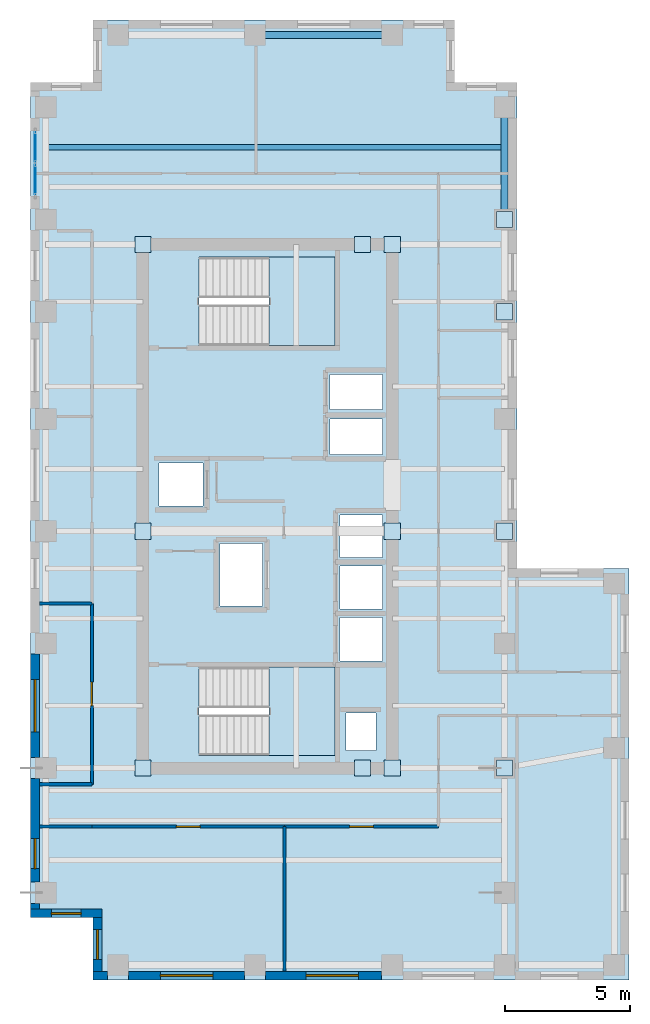
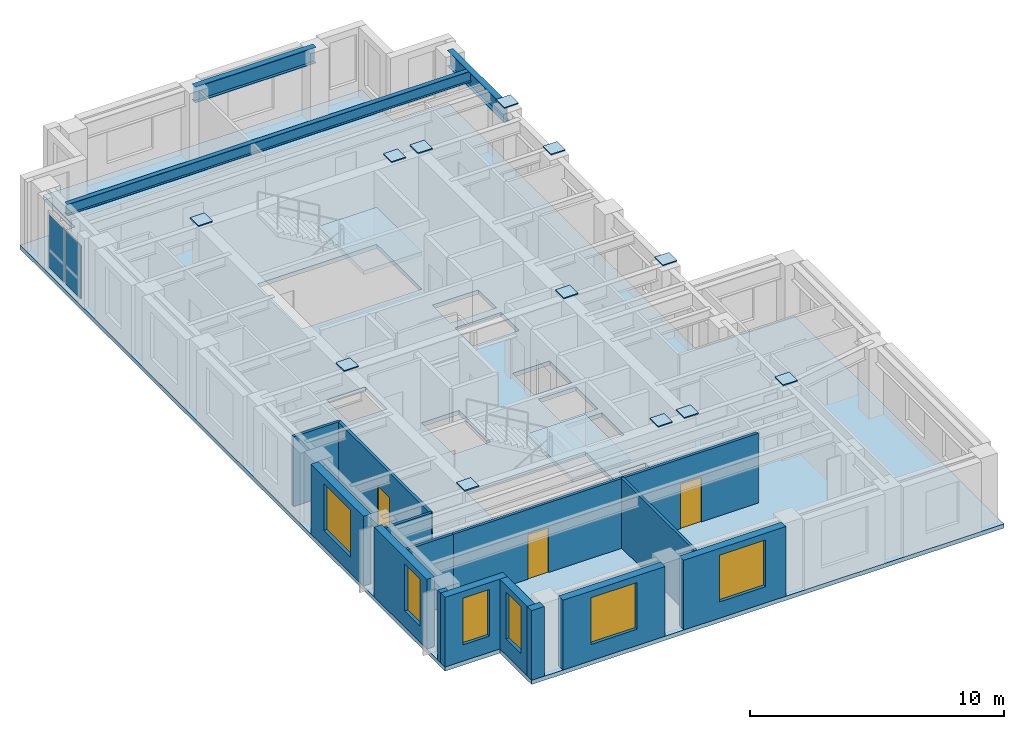
# One storey, part 5 of 10: 15 walls, 14 plates, 6 windows, 3 beams, 3 doors, 3 slabs, 9 openings, 3 elements without a shape of their own.
"""IFC4 building model written with IfcOpenShell, lengths in metres."""

from ifc_helpers import new_model, si_unit, direction, frame, frame_2d, origin, origin_2d, place, context, subcontext, project, spatial, polyline, rectangle, i_section, outline, extrude, source, transform, mapped, material, layer, layer_set, material_profile, profile_set, type_object, element, fill, aggregate, save


model = new_model("IFC4")

# Units and contexts
model_context = context("Model", 3, precision=1e-05, world=origin(), true_north=direction((0.0, 1.0)))
body_context = subcontext(model_context, "Body", "Model", "MODEL_VIEW")
ifc_project = project(units=[si_unit("LENGTHUNIT", "METRE"), si_unit("AREAUNIT", "SQUARE_METRE"), si_unit("VOLUMEUNIT", "CUBIC_METRE"), si_unit("PLANEANGLEUNIT", "RADIAN"), si_unit("MASSUNIT", "GRAM", prefix="KILO")], contexts=[model_context])

# Site, building, storey
site_placement = place(None, origin())
site = spatial("IfcSite", under=ifc_project, at=site_placement, CompositionType="ELEMENT")
building_placement = place(site_placement, origin())
building = spatial("IfcBuilding", under=site, at=building_placement, Name="Kharzan Plaza Tower", CompositionType="ELEMENT")
storey_placement = place(building_placement, frame((0.0, 0.0, 273.60009765625)))
storey = spatial("IfcBuildingStorey", under=building, at=storey_placement, Name="L74", CompositionType="ELEMENT", Elevation=273.60009765625)

# Beams
ifc_material_1 = material(Name="Steel S355", Category="steel")
ifc_material_profile_1 = material_profile(ifc_material_1, i_section(OverallWidth=0.2099609375, OverallDepth=0.537109375, WebThickness=0.010986328125, FlangeThickness=0.017333984375, at=origin_2d()), Name="W530x101")
ifc_profile_set_1 = profile_set([ifc_material_profile_1], Name="Steel S355")
beam_type_1 = type_object("IfcBeamType", Name="BM-JST530B", PredefinedType="JOIST", material=ifc_profile_set_1)
shared_shape_1 = source(origin(), body_context, "Body", "SweptSolid", [
    extrude(i_section(OverallWidth=0.2099609375, OverallDepth=0.537109375, WebThickness=0.010986328125, FlangeThickness=0.017333984375, at=origin_2d()), origin(), (0.0, 0.0, 1.0), 18.39990234375),
])
beam_1_placement = place(storey_placement, frame((0.60009765625, 33.39990234375, 3.101318359375), z_axis=(1.0, 0.0, 0.0), x_axis=(0.0, 1.0, 0.0)))
element("IfcBeam", 1, at=beam_1_placement, inside=storey, type_object=beam_type_1, Name="L74 Wing A Composite Joist 05", PredefinedType="JOIST", context=body_context, shape_type="MappedRepresentation", body=[
    mapped(shared_shape_1, transform((0.0, 0.0, 0.0), x_axis=(1.0, 0.0, 0.0), y_axis=(0.0, 1.0, 0.0), z_axis=(0.0, 0.0, 1.0))),
])
ifc_material_profile_2 = material_profile(ifc_material_1, i_section(OverallWidth=0.26708984375, OverallDepth=0.76611328125, WebThickness=0.014892578125, FlangeThickness=0.023681640625, at=origin_2d()), Name="W760x185")
ifc_profile_set_2 = profile_set([ifc_material_profile_2], Name="Steel S355")
beam_type_2 = type_object("IfcBeamType", Name="BM-SP760B", PredefinedType="SPANDREL", material=ifc_profile_set_2)
shared_shape_2 = source(origin(), body_context, "Body", "SweptSolid", [
    extrude(i_section(OverallWidth=0.26708984375, OverallDepth=0.76611328125, WebThickness=0.014892578125, FlangeThickness=0.023681640625, at=origin_2d()), origin(), (0.0, 0.0, 1.0), 4.5),
])
beam_2_placement = place(storey_placement, frame((19.0, 30.5, 2.98681640625), z_axis=(0.0, 1.0, 0.0), x_axis=(-1.0, 0.0, 0.0)))
element("IfcBeam", 2, at=beam_2_placement, inside=storey, type_object=beam_type_2, Name="L74 Perimeter Tube Spandrel", PredefinedType="SPANDREL", context=body_context, shape_type="MappedRepresentation", body=[
    mapped(shared_shape_2, transform((0.0, 0.0, 0.0), x_axis=(1.0, 0.0, 0.0), y_axis=(0.0, 1.0, 0.0), z_axis=(0.0, 0.0, 1.0))),
])
shared_shape_3 = source(origin(), body_context, "Body", "SweptSolid", [
    extrude(i_section(OverallWidth=0.26708984375, OverallDepth=0.76611328125, WebThickness=0.014892578125, FlangeThickness=0.023681640625, at=origin_2d()), origin(), (0.0, 0.0, 1.0), 5.5),
])
beam_3_placement = place(storey_placement, frame((9.0, 37.89990234375, 2.98681640625), z_axis=(1.0, 0.0, 0.0), x_axis=(0.0, 1.0, 0.0)))
element("IfcBeam", 3, at=beam_3_placement, inside=storey, type_object=beam_type_2, Name="L74 Perimeter Tube Spandrel", PredefinedType="SPANDREL", context=body_context, shape_type="MappedRepresentation", body=[
    mapped(shared_shape_3, transform((0.0, 0.0, 0.0), x_axis=(1.0, 0.0, 0.0), y_axis=(0.0, 1.0, 0.0), z_axis=(0.0, 0.0, 1.0))),
])

# Slab
ifc_material_2 = material(Name="Concrete C40/50", Category="concrete")
ifc_layer_1 = layer(ifc_material_2, 0.199951171875)
ifc_layer_set_1 = layer_set([ifc_layer_1], Name="Concrete C40/50")
slab_type_1 = type_object("IfcSlabType", Name="SL-FLOOR-200", PredefinedType="FLOOR", material=ifc_layer_set_1)
slab_1_placement = place(storey_placement, frame((0.0, 0.0, -0.2001953125)))
element("IfcSlab", 4, at=slab_1_placement, inside=storey, type_object=slab_type_1, Name="L74 Composite Structural Floor Slab 200 mm", PredefinedType="FLOOR", context=body_context, shape_type="SweptSolid", body=[
    extrude(outline(polyline([(19.5, 36.0), (17.0, 36.0), (17.0, 38.5), (2.5, 38.5), (2.5, 36.0), (0.0, 36.0), (0.0, 2.5), (2.5, 2.5), (2.5, 0.0), (19.5, 0.0), (24.0, 0.0), (24.0, 16.5), (19.5, 16.5), (19.5, 36.0)]), holes=[polyline([(13.85009765625, 10.699951171875), (12.64990234375, 10.699951171875), (12.64990234375, 9.199951171875), (13.85009765625, 9.199951171875), (13.85009765625, 10.699951171875)]), polyline([(12.199951171875, 12.550048828125), (6.75, 12.550048828125), (6.75, 9.0), (12.199951171875, 9.0), (12.199951171875, 12.550048828125)]), polyline([(14.10009765625, 14.530029296875), (12.39990234375, 14.530029296875), (12.39990234375, 12.800048828125), (14.10009765625, 12.800048828125), (14.10009765625, 14.530029296875)]), polyline([(14.10009765625, 14.8701171875), (14.10009765625, 16.60009765625), (12.39990234375, 16.60009765625), (12.39990234375, 14.8701171875), (14.10009765625, 14.8701171875)]), polyline([(9.300048828125, 15.0), (9.300048828125, 17.5), (7.60009765625, 17.5), (7.60009765625, 15.0), (9.300048828125, 15.0)]), polyline([(14.10009765625, 18.64990234375), (12.39990234375, 18.64990234375), (12.39990234375, 16.93994140625), (14.10009765625, 16.93994140625), (14.10009765625, 18.64990234375)]), polyline([(6.89990234375, 20.72998046875), (5.14990234375, 20.72998046875), (5.14990234375, 19.010009765625), (6.89990234375, 19.010009765625), (6.89990234375, 20.72998046875)]), polyline([(14.10009765625, 22.489990234375), (12.0, 22.489990234375), (12.0, 21.070068359375), (14.10009765625, 21.070068359375), (14.10009765625, 22.489990234375)]), polyline([(14.10009765625, 22.8701171875), (14.10009765625, 24.2900390625), (12.0, 24.2900390625), (12.0, 22.8701171875), (14.10009765625, 22.8701171875)]), polyline([(12.199951171875, 25.449951171875), (12.199951171875, 29.0), (6.75, 29.0), (6.75, 25.449951171875), (12.199951171875, 25.449951171875)])]), origin(), (0.0, 0.0, 1.0), 0.2001953125),
])

# Stair, slab
stair_type_1 = type_object("IfcStairType", Name="STR-ST-1", PredefinedType="HALF_TURN_STAIR", material=ifc_material_2)
stair_1_placement = place(storey_placement, origin())
stair_1 = element("IfcStair", 5, at=stair_1_placement, inside=storey, type_object=stair_type_1, Name="L74 Protected Exit Stair ST-1", PredefinedType="HALF_TURN_STAIR")
ifc_layer_2 = layer(ifc_material_2, 0.219970703125)
ifc_layer_set_2 = layer_set([ifc_layer_2], Name="Concrete C40/50")
slab_type_2 = type_object("IfcSlabType", Name="SL-LANDING-220", PredefinedType="LANDING", material=ifc_layer_set_2)
slab_2_placement = place(storey_placement, frame((0.0, 0.0, 1.599853515625)))
slab_2 = element("IfcSlab", 6, at=slab_2_placement, type_object=slab_type_2, Name="ST-1 landing 1", PredefinedType="LANDING", context=body_context, shape_type="SweptSolid", body=[
    extrude(outline(polyline([(9.550048828125, 9.0), (12.199951171875, 9.0), (12.199951171875, 12.550048828125), (9.550048828125, 12.550048828125), (9.550048828125, 9.0)])), origin(), (0.0, 0.0, 1.0), 0.199951171875),
])
aggregate(stair_1, [slab_2])

stair_type_2 = type_object("IfcStairType", Name="STR-ST-2", PredefinedType="HALF_TURN_STAIR", material=ifc_material_2)
stair_2_placement = place(storey_placement, origin())
stair_2 = element("IfcStair", 7, at=stair_2_placement, inside=storey, type_object=stair_type_2, Name="L74 Protected Exit Stair ST-2", PredefinedType="HALF_TURN_STAIR")
slab_3_placement = place(storey_placement, frame((0.0, 0.0, 1.599853515625)))
slab_3 = element("IfcSlab", 8, at=slab_3_placement, type_object=slab_type_2, Name="ST-2 landing 1", PredefinedType="LANDING", context=body_context, shape_type="SweptSolid", body=[
    extrude(outline(polyline([(9.550048828125, 25.449951171875), (12.199951171875, 25.449951171875), (12.199951171875, 29.0), (9.550048828125, 29.0), (9.550048828125, 25.449951171875)])), origin(), (0.0, 0.0, 1.0), 0.199951171875),
])
aggregate(stair_2, [slab_3])

# Curtain wall, plates
ifc_material_3 = material(Name="Unitised Bronze-Anodized Aluminium and Low-E Glass", Category="aluminium")
ifc_layer_3 = layer(ifc_material_3, 0.199951171875)
ifc_layer_set_3 = layer_set([ifc_layer_3], Name="Unitised Bronze-Anodized Aluminium and Low-E Glass")
curtain_wall_type = type_object("IfcCurtainWallType", Name="CW-EXEC-5", PredefinedType="NOTDEFINED", material=ifc_layer_set_3)
curtain_wall_placement = place(storey_placement, origin())
curtain_wall = element("IfcCurtainWall", 9, at=curtain_wall_placement, inside=storey, type_object=curtain_wall_type, Name="L74 Upper Executive Setback Panoramic Curtain Wall", PredefinedType="NOTDEFINED")
ifc_material_4 = material(Name="Dark Solar-Control Double Glazing", Category="glass")
ifc_layer_4 = layer(ifc_material_4, 0.031982421875)
ifc_layer_set_4 = layer_set([ifc_layer_4], Name="Dark Solar-Control Double Glazing")
plate_type_1 = type_object("IfcPlateType", Name="PLT-CW-GLASS", PredefinedType="CURTAIN_PANEL", material=ifc_layer_set_4)
shared_shape_4 = source(origin(), body_context, "Body", "SweptSolid", [
    extrude(rectangle(XDim=1.179931640625, YDim=0.031982421875, at=origin_2d()), origin(), (0.0, 0.0, 1.0), 2.5400390625),
])
plate_1_placement = place(storey_placement, frame((0.179931640625, 32.10009765625, 0.079833984375), z_axis=(0.0, 0.0, 1.0), x_axis=(0.0, 1.0, 0.0)))
plate_1 = element("IfcPlate", 10, at=plate_1_placement, type_object=plate_type_1, Name="L74 Curtain-Wall Glazed Panel 00", PredefinedType="CURTAIN_PANEL", context=body_context, shape_type="MappedRepresentation", body=[
    mapped(shared_shape_4, transform((0.0, 0.0, 0.0), x_axis=(1.0, 0.0, 0.0), y_axis=(0.0, 1.0, 0.0), z_axis=(0.0, 0.0, 1.0))),
])
plate_2_placement = place(storey_placement, frame((0.179931640625, 33.39990234375, 0.079833984375), z_axis=(0.0, 0.0, 1.0), x_axis=(0.0, 1.0, 0.0)))
plate_2 = element("IfcPlate", 11, at=plate_2_placement, type_object=plate_type_1, Name="L74 Curtain-Wall Glazed Panel 01", PredefinedType="CURTAIN_PANEL", context=body_context, shape_type="MappedRepresentation", body=[
    mapped(shared_shape_4, transform((0.0, 0.0, 0.0), x_axis=(1.0, 0.0, 0.0), y_axis=(0.0, 1.0, 0.0), z_axis=(0.0, 0.0, 1.0))),
])
aggregate(curtain_wall, [plate_1, plate_2])

# Plates
ifc_material_5 = material(Name="Steel S460", Category="steel")
ifc_layer_5 = layer(ifc_material_5, 0.050048828125)
ifc_layer_set_5 = layer_set([ifc_layer_5], Name="Steel S460")
plate_type_2 = type_object("IfcPlateType", Name="PLT-LNB1", PredefinedType="USERDEFINED", material=ifc_layer_set_5)
shared_shape_5 = source(origin(), body_context, "Body", "SweptSolid", [
    extrude(rectangle(XDim=0.64990234375, YDim=0.64990234375, at=origin_2d()), origin(), (0.0, 0.0, 1.0), 0.050048828125),
])
for number, where, z_axis, x_axis, name in (
    (12, (4.5, 8.5, 3.5498046875), (0.0, 0.0, 1.0), (1.0, 0.0, 0.0), "CROWN FRAME Lantern Base Plate LNB1-LC01"),
    (13, (13.300048828125, 8.5, 3.5498046875), (0.0, 0.0, 1.0), (1.0, 0.0, 0.0), "CROWN FRAME Lantern Base Plate LNB1-LC02"),
    (14, (14.5, 8.5, 3.5498046875), (0.0, 0.0, 1.0), (1.0, 0.0, 0.0), "CROWN FRAME Lantern Base Plate LNB1-LC03"),
    (15, (4.5, 18.0, 3.5498046875), (0.0, 0.0, 1.0), (1.0, 0.0, 0.0), "CROWN FRAME Lantern Base Plate LNB1-LC04"),
    (16, (14.5, 18.0, 3.5498046875), (0.0, 0.0, 1.0), (1.0, 0.0, 0.0), "CROWN FRAME Lantern Base Plate LNB1-LC05"),
    (17, (4.5, 29.5, 3.5498046875), (0.0, 0.0, 1.0), (1.0, 0.0, 0.0), "CROWN FRAME Lantern Base Plate LNB1-LC06"),
    (18, (13.300048828125, 29.5, 3.5498046875), (0.0, 0.0, 1.0), (1.0, 0.0, 0.0), "CROWN FRAME Lantern Base Plate LNB1-LC07"),
    (19, (14.5, 29.5, 3.5498046875), (0.0, 0.0, 1.0), (1.0, 0.0, 0.0), "CROWN FRAME Lantern Base Plate LNB1-LC08"),
    (20, (19.0, 8.5, 3.5498046875), (0.0, 0.0, 1.0), (1.0, 0.0, 0.0), "CROWN FRAME Lantern Base Plate LNB1-LC09"),
    (21, (19.0, 18.0, 3.5498046875), (0.0, 0.0, 1.0), (1.0, 0.0, 0.0), "CROWN FRAME Lantern Base Plate LNB1-LC10"),
    (22, (19.0, 26.800048828125, 3.5498046875), (0.0, 0.0, 1.0), (1.0, 0.0, 0.0), "CROWN FRAME Lantern Base Plate LNB1-LC11"),
    (23, (19.0, 30.5, 3.5498046875), (0.0, 0.0, 1.0), (1.0, 0.0, 0.0), "CROWN FRAME Lantern Base Plate LNB1-LC12"),
):
    element("IfcPlate", number, at=place(storey_placement, frame(where, z_axis=z_axis, x_axis=x_axis)), inside=storey, type_object=plate_type_2, Name=name, ObjectType="FLANGE_PLATE", PredefinedType="USERDEFINED", context=body_context, shape_type="MappedRepresentation", body=[
        mapped(shared_shape_5, transform((0.0, 0.0, 0.0), x_axis=(1.0, 0.0, 0.0), y_axis=(0.0, 1.0, 0.0), z_axis=(0.0, 0.0, 1.0))),
    ])

# Wall, opening, window
ifc_layer_6 = layer(ifc_material_2, 0.35009765625)
ifc_layer_set_6 = layer_set([ifc_layer_6], Name="Concrete C40/50")
wall_type_1 = type_object("IfcWallType", Name="WL-EXT-MAS-Z4", PredefinedType="SOLIDWALL", material=ifc_layer_set_6)
wall_1_placement = place(storey_placement, frame((0.175048828125, 13.076904296875, 0.0), z_axis=(0.0, 0.0, 1.0), x_axis=(0.0, -1.0, 0.0)))
wall_1 = element("IfcWall", 24, at=wall_1_placement, inside=storey, type_object=wall_type_1, Name="L74 Masonry-Frame Exterior Wall 15", PredefinedType="SOLIDWALL", context=body_context, shape_type="SweptSolid", body=[
    extrude(rectangle(XDim=4.15380859375, YDim=0.35009765625, at=frame_2d((2.076904296875, 0.0))), origin(), (0.0, 0.0, 1.0), 3.35498046875),
])
opening_1_placement = place(wall_1_placement, frame((1.027099609375, 0.0, 0.780029296875)))
opening_1 = element("IfcOpeningElement", 25, at=opening_1_placement, cuts=wall_1, Name="Opening W6", PredefinedType="OPENING", context=body_context, shape_type="SweptSolid", body=[
    extrude(rectangle(XDim=2.10009765625, YDim=2.25, at=frame_2d((1.050048828125, 1.125))), frame((0.0, 0.18505859375, 0.0), z_axis=(0.0, -1.0, 0.0), x_axis=(1.0, 0.0, 0.0)), (0.0, 0.0, 1.0), 0.3701171875),
])
ifc_material_6 = material(Name="Low-E Double Glazing", Category="glass")
window_type_1 = type_object("IfcWindowType", Name="WN-EXEC-2100x2250", PartitioningType="SINGLE_PANEL", PredefinedType="WINDOW", material=ifc_material_6)
shared_shape_6 = source(origin(), body_context, "Body", "SweptSolid", [
    extrude(rectangle(XDim=2.10009765625, YDim=2.25, at=frame_2d((1.050048828125, 1.125))), frame((0.0, 0.030029296875, 0.0), z_axis=(0.0, -1.0, 0.0), x_axis=(1.0, 0.0, 0.0)), (0.0, 0.0, 1.0), 0.06005859375),
])
window_1_placement = place(opening_1_placement, origin())
window_1 = element("IfcWindow", 26, at=window_1_placement, inside=storey, type_object=window_type_1, Name="L74 Recessed Solar-Control Window 15-1", OverallHeight=2.25, OverallWidth=2.10009765625, PartitioningType="SINGLE_PANEL", PredefinedType="WINDOW", context=body_context, shape_type="MappedRepresentation", body=[
    mapped(shared_shape_6, transform((0.0, 0.0, 0.0), x_axis=(1.0, 0.0, 0.0), y_axis=(0.0, 1.0, 0.0), z_axis=(0.0, 0.0, 1.0))),
])
fill(opening_1, window_1)

wall_2_placement = place(storey_placement, frame((0.175048828125, 8.076904296875, 0.0), z_axis=(0.0, 0.0, 1.0), x_axis=(0.0, -1.0, 0.0)))
wall_2 = element("IfcWall", 27, at=wall_2_placement, inside=storey, type_object=wall_type_1, Name="L74 Masonry-Frame Exterior Wall 16", PredefinedType="SOLIDWALL", context=body_context, shape_type="SweptSolid", body=[
    extrude(rectangle(XDim=4.15380859375, YDim=0.35009765625, at=frame_2d((2.076904296875, 0.0))), origin(), (0.0, 0.0, 1.0), 3.35498046875),
])
opening_2_placement = place(wall_2_placement, frame((2.405517578125, 0.0, 0.780029296875)))
opening_2 = element("IfcOpeningElement", 28, at=opening_2_placement, cuts=wall_2, Name="Opening W3", PredefinedType="OPENING", context=body_context, shape_type="SweptSolid", body=[
    extrude(rectangle(XDim=1.199951171875, YDim=2.25, at=frame_2d((0.60009765625, 1.125))), frame((0.0, 0.18505859375, 0.0), z_axis=(0.0, -1.0, 0.0), x_axis=(1.0, 0.0, 0.0)), (0.0, 0.0, 1.0), 0.3701171875),
])
window_type_2 = type_object("IfcWindowType", Name="WN-REC-1200x2100", PartitioningType="SINGLE_PANEL", PredefinedType="WINDOW", material=ifc_material_6)
shared_shape_7 = source(origin(), body_context, "Body", "SweptSolid", [
    extrude(rectangle(XDim=1.199951171875, YDim=2.25, at=frame_2d((0.60009765625, 1.125))), frame((0.0, 0.030029296875, 0.0), z_axis=(0.0, -1.0, 0.0), x_axis=(1.0, 0.0, 0.0)), (0.0, 0.0, 1.0), 0.06005859375),
])
window_2_placement = place(opening_2_placement, origin())
window_2 = element("IfcWindow", 29, at=window_2_placement, inside=storey, type_object=window_type_2, Name="L74 Recessed Solar-Control Window 16-1", OverallHeight=2.25, OverallWidth=1.199951171875, PartitioningType="SINGLE_PANEL", PredefinedType="WINDOW", context=body_context, shape_type="MappedRepresentation", body=[
    mapped(shared_shape_7, transform((0.0, 0.0, 0.0), x_axis=(1.0, 0.0, 0.0), y_axis=(0.0, 1.0, 0.0), z_axis=(0.0, 0.0, 1.0))),
])
fill(opening_2, window_2)

wall_3_placement = place(storey_placement, frame((0.0, 2.675048828125, 0.0), z_axis=(0.0, 0.0, 1.0), x_axis=(1.0, 0.0, 0.0)))
wall_3 = element("IfcWall", 30, at=wall_3_placement, inside=storey, type_object=wall_type_1, Name="L74 Masonry-Frame Exterior Wall 18", PredefinedType="SOLIDWALL", context=body_context, shape_type="SweptSolid", body=[
    extrude(rectangle(XDim=2.85009765625, YDim=0.35009765625, at=frame_2d((1.425048828125, 0.0))), origin(), (0.0, 0.0, 1.0), 3.35498046875),
])
opening_3_placement = place(wall_3_placement, frame((0.824951171875, 0.0, 0.780029296875)))
opening_3 = element("IfcOpeningElement", 31, at=opening_3_placement, cuts=wall_3, Name="Opening W3", PredefinedType="OPENING", context=body_context, shape_type="SweptSolid", body=[
    extrude(rectangle(XDim=1.199951171875, YDim=2.25, at=frame_2d((0.60009765625, 1.125))), frame((0.0, 0.18505859375, 0.0), z_axis=(0.0, -1.0, 0.0), x_axis=(1.0, 0.0, 0.0)), (0.0, 0.0, 1.0), 0.3701171875),
])
window_3_placement = place(opening_3_placement, origin())
window_3 = element("IfcWindow", 32, at=window_3_placement, inside=storey, type_object=window_type_2, Name="L74 Recessed Solar-Control Window 18-1", OverallHeight=2.25, OverallWidth=1.199951171875, PartitioningType="SINGLE_PANEL", PredefinedType="WINDOW", context=body_context, shape_type="MappedRepresentation", body=[
    mapped(shared_shape_7, transform((0.0, 0.0, 0.0), x_axis=(1.0, 0.0, 0.0), y_axis=(0.0, 1.0, 0.0), z_axis=(0.0, 0.0, 1.0))),
])
fill(opening_3, window_3)

wall_4_placement = place(storey_placement, frame((2.675048828125, 2.501953125, 0.0), z_axis=(0.0, 0.0, 1.0), x_axis=(0.0, -1.0, 0.0)))
wall_4 = element("IfcWall", 33, at=wall_4_placement, inside=storey, type_object=wall_type_1, Name="L74 Masonry-Frame Exterior Wall 19", PredefinedType="SOLIDWALL", context=body_context, shape_type="SweptSolid", body=[
    extrude(rectangle(XDim=2.154052734375, YDim=0.35009765625, at=frame_2d((1.0771484375, 0.0))), origin(), (0.0, 0.0, 1.0), 3.35498046875),
])
opening_4_placement = place(wall_4_placement, frame((0.47705078125, 0.0, 0.780029296875)))
opening_4 = element("IfcOpeningElement", 34, at=opening_4_placement, cuts=wall_4, Name="Opening W3", PredefinedType="OPENING", context=body_context, shape_type="SweptSolid", body=[
    extrude(rectangle(XDim=1.199951171875, YDim=2.25, at=frame_2d((0.60009765625, 1.125))), frame((0.0, 0.18505859375, 0.0), z_axis=(0.0, -1.0, 0.0), x_axis=(1.0, 0.0, 0.0)), (0.0, 0.0, 1.0), 0.3701171875),
])
window_4_placement = place(opening_4_placement, origin())
window_4 = element("IfcWindow", 35, at=window_4_placement, inside=storey, type_object=window_type_2, Name="L74 Recessed Solar-Control Window 19-1", OverallHeight=2.25, OverallWidth=1.199951171875, PartitioningType="SINGLE_PANEL", PredefinedType="WINDOW", context=body_context, shape_type="MappedRepresentation", body=[
    mapped(shared_shape_7, transform((0.0, 0.0, 0.0), x_axis=(1.0, 0.0, 0.0), y_axis=(0.0, 1.0, 0.0), z_axis=(0.0, 0.0, 1.0))),
])
fill(opening_4, window_4)

wall_5_placement = place(storey_placement, frame((3.923095703125, 0.175048828125, 0.0), z_axis=(0.0, 0.0, 1.0), x_axis=(1.0, 0.0, 0.0)))
wall_5 = element("IfcWall", 36, at=wall_5_placement, inside=storey, type_object=wall_type_1, Name="L74 Masonry-Frame Exterior Wall 21", PredefinedType="SOLIDWALL", context=body_context, shape_type="SweptSolid", body=[
    extrude(rectangle(XDim=4.65380859375, YDim=0.35009765625, at=frame_2d((2.326904296875, 0.0))), origin(), (0.0, 0.0, 1.0), 3.35498046875),
])
opening_5_placement = place(wall_5_placement, frame((1.277099609375, 0.0, 0.780029296875)))
opening_5 = element("IfcOpeningElement", 37, at=opening_5_placement, cuts=wall_5, Name="Opening W6", PredefinedType="OPENING", context=body_context, shape_type="SweptSolid", body=[
    extrude(rectangle(XDim=2.10009765625, YDim=2.25, at=frame_2d((1.050048828125, 1.125))), frame((0.0, 0.18505859375, 0.0), z_axis=(0.0, -1.0, 0.0), x_axis=(1.0, 0.0, 0.0)), (0.0, 0.0, 1.0), 0.3701171875),
])
window_5_placement = place(opening_5_placement, origin())
window_5 = element("IfcWindow", 38, at=window_5_placement, inside=storey, type_object=window_type_1, Name="L74 Recessed Solar-Control Window 21-1", OverallHeight=2.25, OverallWidth=2.10009765625, PartitioningType="SINGLE_PANEL", PredefinedType="WINDOW", context=body_context, shape_type="MappedRepresentation", body=[
    mapped(shared_shape_6, transform((0.0, 0.0, 0.0), x_axis=(1.0, 0.0, 0.0), y_axis=(0.0, 1.0, 0.0), z_axis=(0.0, 0.0, 1.0))),
])
fill(opening_5, window_5)

wall_6_placement = place(storey_placement, frame((9.423095703125, 0.175048828125, 0.0), z_axis=(0.0, 0.0, 1.0), x_axis=(1.0, 0.0, 0.0)))
wall_6 = element("IfcWall", 39, at=wall_6_placement, inside=storey, type_object=wall_type_1, Name="L74 Masonry-Frame Exterior Wall 22", PredefinedType="SOLIDWALL", context=body_context, shape_type="SweptSolid", body=[
    extrude(rectangle(XDim=4.65380859375, YDim=0.35009765625, at=frame_2d((2.326904296875, 0.0))), origin(), (0.0, 0.0, 1.0), 3.35498046875),
])
opening_6_placement = place(wall_6_placement, frame((1.6201171875, 0.0, 0.780029296875)))
opening_6 = element("IfcOpeningElement", 40, at=opening_6_placement, cuts=wall_6, Name="Opening W6", PredefinedType="OPENING", context=body_context, shape_type="SweptSolid", body=[
    extrude(rectangle(XDim=2.10009765625, YDim=2.25, at=frame_2d((1.050048828125, 1.125))), frame((0.0, 0.18505859375, 0.0), z_axis=(0.0, -1.0, 0.0), x_axis=(1.0, 0.0, 0.0)), (0.0, 0.0, 1.0), 0.3701171875),
])
window_6_placement = place(opening_6_placement, origin())
window_6 = element("IfcWindow", 41, at=window_6_placement, inside=storey, type_object=window_type_1, Name="L74 Recessed Solar-Control Window 22-1", OverallHeight=2.25, OverallWidth=2.10009765625, PartitioningType="SINGLE_PANEL", PredefinedType="WINDOW", context=body_context, shape_type="MappedRepresentation", body=[
    mapped(shared_shape_6, transform((0.0, 0.0, 0.0), x_axis=(1.0, 0.0, 0.0), y_axis=(0.0, 1.0, 0.0), z_axis=(0.0, 0.0, 1.0))),
])
fill(opening_6, window_6)

# Wall, opening, door
ifc_material_7 = material(Name="Fire-Rated Gypsum Board Partition", Category="gypsum")
ifc_layer_7 = layer(ifc_material_7, 0.125)
ifc_layer_set_7 = layer_set([ifc_layer_7], Name="Fire-Rated Gypsum Board Partition")
wall_type_2 = type_object("IfcWallType", Name="WL-INT-PART-125", PredefinedType="PARTITIONING", material=ifc_layer_set_7)
wall_7_placement = place(storey_placement, frame((2.449951171875, 6.14990234375, 0.0), z_axis=(0.0, 0.0, 1.0), x_axis=(1.0, 0.0, 0.0)))
wall_7 = element("IfcWall", 42, at=wall_7_placement, inside=storey, type_object=wall_type_2, Name="L74 Interior Partition SH-SS-1", PredefinedType="PARTITIONING", context=body_context, shape_type="SweptSolid", body=[
    extrude(rectangle(XDim=7.72900390625, YDim=0.125, at=frame_2d((3.864501953125, 0.0))), origin(), (0.0, 0.0, 1.0), 3.35498046875),
])
opening_7_placement = place(wall_7_placement, frame((3.389404296875, 0.0, 0.0)))
opening_7 = element("IfcOpeningElement", 43, at=opening_7_placement, cuts=wall_7, Name="Opening OD1", PredefinedType="OPENING", context=body_context, shape_type="SweptSolid", body=[
    extrude(rectangle(XDim=0.949951171875, YDim=2.14990234375, at=frame_2d((0.47509765625, 1.074951171875))), frame((0.0, 0.072509765625, 0.0), z_axis=(0.0, -1.0, 0.0), x_axis=(1.0, 0.0, 0.0)), (0.0, 0.0, 1.0), 0.14501953125),
])
ifc_material_8 = material(Name="Acoustic Solid-Core Stained Oak", Category="timber")
door_type = type_object("IfcDoorType", Name="DR-OFF-SINGLE", OperationType="NOTDEFINED", PredefinedType="DOOR", material=ifc_material_8)
shared_shape_8 = source(origin(), body_context, "Body", "SweptSolid", [
    extrude(rectangle(XDim=0.949951171875, YDim=2.14990234375, at=frame_2d((0.47509765625, 1.074951171875))), frame((0.0, 0.02490234375, 0.0), z_axis=(0.0, -1.0, 0.0), x_axis=(1.0, 0.0, 0.0)), (0.0, 0.0, 1.0), 0.050048828125),
])
door_1_placement = place(opening_7_placement, origin())
door_1 = element("IfcDoor", 44, at=door_1_placement, inside=storey, type_object=door_type, Name="L74 Staff Tea Pantry Door", OperationType="SINGLE_SWING_RIGHT", OverallHeight=2.14990234375, OverallWidth=0.949951171875, PredefinedType="DOOR", context=body_context, shape_type="MappedRepresentation", body=[
    mapped(shared_shape_8, transform((0.0, 0.0, 0.0), x_axis=(1.0, 0.0, 0.0), y_axis=(0.0, 1.0, 0.0), z_axis=(0.0, 0.0, 1.0))),
])
fill(opening_7, door_1)

wall_8_placement = place(storey_placement, frame((10.178955078125, 6.14990234375, 0.0), z_axis=(0.0, 0.0, 1.0), x_axis=(1.0, 0.0, 0.0)))
wall_8 = element("IfcWall", 45, at=wall_8_placement, inside=storey, type_object=wall_type_2, Name="L74 Interior Partition SH-SS-2", PredefinedType="PARTITIONING", context=body_context, shape_type="SweptSolid", body=[
    extrude(rectangle(XDim=6.171142578125, YDim=0.125, at=frame_2d((3.08544921875, 0.0))), origin(), (0.0, 0.0, 1.0), 3.35498046875),
])
opening_8_placement = place(wall_8_placement, frame((2.610595703125, 0.0, 0.0)))
opening_8 = element("IfcOpeningElement", 46, at=opening_8_placement, cuts=wall_8, Name="Opening OD1", PredefinedType="OPENING", context=body_context, shape_type="SweptSolid", body=[
    extrude(rectangle(XDim=0.949951171875, YDim=2.14990234375, at=frame_2d((0.47509765625, 1.074951171875))), frame((0.0, 0.072509765625, 0.0), z_axis=(0.0, -1.0, 0.0), x_axis=(1.0, 0.0, 0.0)), (0.0, 0.0, 1.0), 0.14501953125),
])
door_2_placement = place(opening_8_placement, origin())
door_2 = element("IfcDoor", 47, at=door_2_placement, inside=storey, type_object=door_type, Name="L74 Staff Tea Pantry Door", OperationType="SINGLE_SWING_LEFT", OverallHeight=2.14990234375, OverallWidth=0.949951171875, PredefinedType="DOOR", context=body_context, shape_type="MappedRepresentation", body=[
    mapped(shared_shape_8, transform((0.0, 0.0, 0.0), x_axis=(1.0, 0.0, 0.0), y_axis=(0.0, 1.0, 0.0), z_axis=(0.0, 0.0, 1.0))),
])
fill(opening_8, door_2)

wall_9_placement = place(storey_placement, frame((2.449951171875, 7.85009765625, 0.0), z_axis=(0.0, 0.0, 1.0), x_axis=(0.0, 1.0, 0.0)))
wall_9 = element("IfcWall", 48, at=wall_9_placement, inside=storey, type_object=wall_type_2, Name="L74 Interior Partition SH-WW-1", PredefinedType="PARTITIONING", context=body_context, shape_type="SweptSolid", body=[
    extrude(rectangle(XDim=7.25, YDim=0.125, at=frame_2d((3.625, 0.0))), origin(), (0.0, 0.0, 1.0), 3.35498046875),
])
opening_9_placement = place(wall_9_placement, frame((3.14990234375, 0.0, 0.0)))
opening_9 = element("IfcOpeningElement", 49, at=opening_9_placement, cuts=wall_9, Name="Opening OD1", PredefinedType="OPENING", context=body_context, shape_type="SweptSolid", body=[
    extrude(rectangle(XDim=0.949951171875, YDim=2.14990234375, at=frame_2d((0.47509765625, 1.074951171875))), frame((0.0, 0.072509765625, 0.0), z_axis=(0.0, -1.0, 0.0), x_axis=(1.0, 0.0, 0.0)), (0.0, 0.0, 1.0), 0.14501953125),
])
door_3_placement = place(opening_9_placement, origin())
door_3 = element("IfcDoor", 50, at=door_3_placement, inside=storey, type_object=door_type, Name="L74 Cloud Architecture Office Door", OperationType="SINGLE_SWING_LEFT", OverallHeight=2.14990234375, OverallWidth=0.949951171875, PredefinedType="DOOR", context=body_context, shape_type="MappedRepresentation", body=[
    mapped(shared_shape_8, transform((0.0, 0.0, 0.0), x_axis=(1.0, 0.0, 0.0), y_axis=(0.0, 1.0, 0.0), z_axis=(0.0, 0.0, 1.0))),
])
fill(opening_9, door_3)

# Walls
shared_shape_9 = source(origin(), body_context, "Body", "SweptSolid", [
    extrude(rectangle(XDim=0.576904296875, YDim=0.35009765625, at=frame_2d((0.28857421875, 0.0))), origin(), (0.0, 0.0, 1.0), 3.35498046875),
])
wall_10_placement = place(storey_placement, frame((2.5, 0.175048828125, 0.0), z_axis=(0.0, 0.0, 1.0), x_axis=(1.0, 0.0, 0.0)))
element("IfcWall", 51, at=wall_10_placement, inside=storey, type_object=wall_type_1, Name="L74 Masonry-Frame Exterior Wall 20", PredefinedType="SOLIDWALL", context=body_context, shape_type="MappedRepresentation", body=[
    mapped(shared_shape_9, transform((0.0, 0.0, 0.0), x_axis=(1.0, 0.0, 0.0), y_axis=(0.0, 1.0, 0.0), z_axis=(0.0, 0.0, 1.0))),
])
shared_shape_10 = source(origin(), body_context, "Body", "SweptSolid", [
    extrude(rectangle(XDim=0.22900390625, YDim=0.35009765625, at=frame_2d((0.114501953125, 0.0))), origin(), (0.0, 0.0, 1.0), 3.35498046875),
])
wall_11_placement = place(storey_placement, frame((0.175048828125, 3.076904296875, 0.0), z_axis=(0.0, 0.0, 1.0), x_axis=(0.0, -1.0, 0.0)))
element("IfcWall", 52, at=wall_11_placement, inside=storey, type_object=wall_type_1, Name="L74 Masonry-Frame Exterior Wall 17", PredefinedType="SOLIDWALL", context=body_context, shape_type="MappedRepresentation", body=[
    mapped(shared_shape_10, transform((0.0, 0.0, 0.0), x_axis=(1.0, 0.0, 0.0), y_axis=(0.0, 1.0, 0.0), z_axis=(0.0, 0.0, 1.0))),
])
shared_shape_11 = source(origin(), body_context, "Body", "SweptSolid", [
    extrude(rectangle(XDim=2.097900390625, YDim=0.125, at=frame_2d((1.048828125, 0.0))), origin(), (0.0, 0.0, 1.0), 3.35498046875),
])
for number, where, z_axis, x_axis, name in (
    (53, (0.35205078125, 7.85009765625, 0.0), (0.0, 0.0, 1.0), (1.0, 0.0, 0.0), "L74 Interior Partition SH-RWS0"),
    (54, (0.35205078125, 6.14990234375, 0.0), (0.0, 0.0, 1.0), (1.0, 0.0, 0.0), "L74 Interior Partition SH-SS-EXT"),
    (55, (0.35205078125, 15.10009765625, 0.0), (0.0, 0.0, 1.0), (1.0, 0.0, 0.0), "L74 Interior Partition SH-WH-1"),
):
    element("IfcWall", number, at=place(storey_placement, frame(where, z_axis=z_axis, x_axis=x_axis)), inside=storey, type_object=wall_type_2, Name=name, PredefinedType="PARTITIONING", context=body_context, shape_type="MappedRepresentation", body=[
        mapped(shared_shape_11, transform((0.0, 0.0, 0.0), x_axis=(1.0, 0.0, 0.0), y_axis=(0.0, 1.0, 0.0), z_axis=(0.0, 0.0, 1.0))),
    ])
shared_shape_12 = source(origin(), body_context, "Body", "SweptSolid", [
    extrude(rectangle(XDim=5.7978515625, YDim=0.125, at=frame_2d((2.89892578125, 0.0))), origin(), (0.0, 0.0, 1.0), 3.35498046875),
])
wall_12_placement = place(storey_placement, frame((10.178955078125, 0.35205078125, 0.0), z_axis=(0.0, 0.0, 1.0), x_axis=(0.0, 1.0, 0.0)))
element("IfcWall", 56, at=wall_12_placement, inside=storey, type_object=wall_type_2, Name="L74 Interior Partition SH-SV-1", PredefinedType="PARTITIONING", context=body_context, shape_type="MappedRepresentation", body=[
    mapped(shared_shape_12, transform((0.0, 0.0, 0.0), x_axis=(1.0, 0.0, 0.0), y_axis=(0.0, 1.0, 0.0), z_axis=(0.0, 0.0, 1.0))),
])

save(model, "model.ifc")
